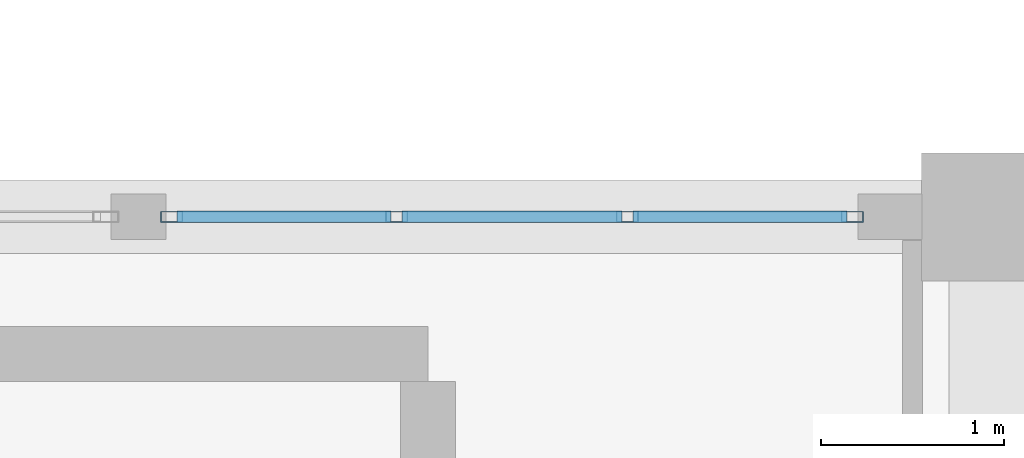
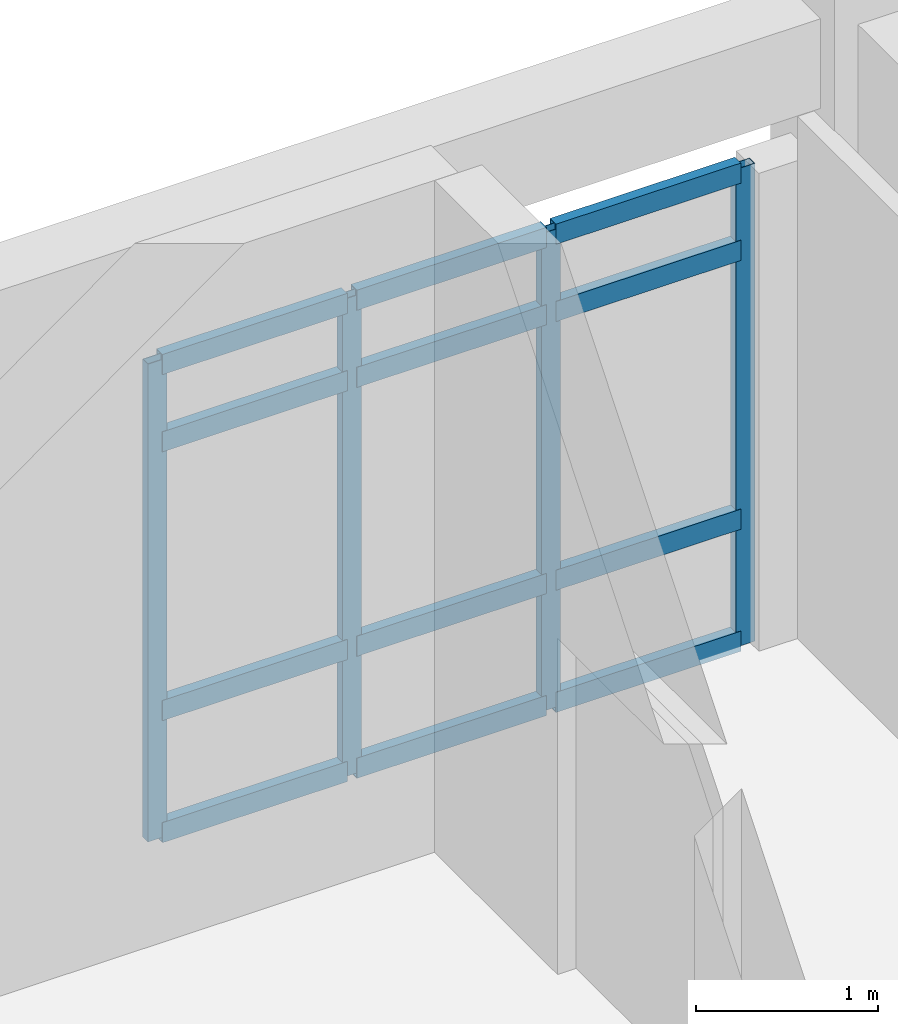
# One storey, part 12 of 80: 16 members, 1 element without a shape of its own.
"""IFC4 building model written with IfcOpenShell, lengths in metres."""

from ifc_helpers import new_model, si_unit, direction, frame, origin, origin_2d, place, context, subcontext, project, spatial, hollow_rectangle, extrude, material, layer, layer_set, material_profile, profile_set, type_object, element, aggregate, save


model = new_model("IFC4")

# Units and contexts
model_context = context("Model", 3, precision=1e-05, world=origin(), true_north=direction((0.0, 1.0)))
body_context = subcontext(model_context, "Body", "Model", "MODEL_VIEW")
ifc_project = project(units=[si_unit("LENGTHUNIT", "METRE"), si_unit("AREAUNIT", "SQUARE_METRE"), si_unit("VOLUMEUNIT", "CUBIC_METRE"), si_unit("PLANEANGLEUNIT", "RADIAN"), si_unit("MASSUNIT", "GRAM", prefix="KILO")], contexts=[model_context])

# Site, building, storey
site_placement = place(None, origin())
site = spatial("IfcSite", under=ifc_project, at=site_placement, CompositionType="ELEMENT")
building_placement = place(site_placement, origin())
building = spatial("IfcBuilding", under=site, at=building_placement, Name="Fikremerkos Civic Library", CompositionType="ELEMENT")
storey_placement = place(building_placement, frame((0.0, 0.0, 9.89990234375)))
storey = spatial("IfcBuildingStorey", under=building, at=storey_placement, Name="L02", CompositionType="ELEMENT", Elevation=9.89990234375)

# Curtain wall, members
ifc_material = material(Name="Anodized aluminium Frame", Category="aluminium")
ifc_layer = layer(ifc_material, 0.159912109375, Name="Anodized aluminium Frame")
ifc_layer_set = layer_set([ifc_layer], Name="Anodized aluminium Frame")
curtain_wall_type = type_object("IfcCurtainWallType", Name="Unitised curtain wall CW-04 3400x3600", PredefinedType="USERDEFINED", material=ifc_layer_set)
curtain_wall_placement = place(storey_placement, origin())
curtain_wall = element("IfcCurtainWall", 1, at=curtain_wall_placement, inside=storey, type_object=curtain_wall_type, Name="Unitised curtain wall CW-04 L02 #148", ObjectType="UNITISED CURTAIN WALL", PredefinedType="USERDEFINED")
ifc_material_profile_1 = material_profile(ifc_material, hollow_rectangle(XDim=0.06005859375, YDim=0.1201171875, WallThickness=0.00390625, at=origin_2d()), Name="ALU 120x60x4")
ifc_profile_set_1 = profile_set([ifc_material_profile_1], Name="Anodized aluminium Frame")
member_type_1 = type_object("IfcMemberType", Name="Curtain mullion CWM-04 ALU 120x60x4", PredefinedType="MULLION", material=ifc_profile_set_1)
member_1_placement = place(storey_placement, frame((28.147216796875, 31.199951171875, 0.0), z_axis=(0.0, 0.0, 1.0), x_axis=(0.0, 1.0, 0.0)))
member_1 = element("IfcMember", 2, at=member_1_placement, type_object=member_type_1, Name="CW-04 mullion 1", PredefinedType="MULLION", context=body_context, shape_type="SweptSolid", body=[
    extrude(hollow_rectangle(XDim=0.06005859375, YDim=0.1201171875, WallThickness=0.00390625, at=origin_2d()), origin(), (0.0, 0.0, 1.0), 3.2001953125),
])
member_2_placement = place(storey_placement, frame((29.37890625, 31.199951171875, 0.0), z_axis=(0.0, 0.0, 1.0), x_axis=(0.0, 1.0, 0.0)))
member_2 = element("IfcMember", 3, at=member_2_placement, type_object=member_type_1, Name="CW-04 mullion 2", PredefinedType="MULLION", context=body_context, shape_type="SweptSolid", body=[
    extrude(hollow_rectangle(XDim=0.06005859375, YDim=0.1201171875, WallThickness=0.00390625, at=origin_2d()), origin(), (0.0, 0.0, 1.0), 3.2001953125),
])
member_3_placement = place(storey_placement, frame((30.640380859375, 31.199951171875, 0.0), z_axis=(0.0, 0.0, 1.0), x_axis=(0.0, 1.0, 0.0)))
member_3 = element("IfcMember", 4, at=member_3_placement, type_object=member_type_1, Name="CW-04 mullion 3", PredefinedType="MULLION", context=body_context, shape_type="SweptSolid", body=[
    extrude(hollow_rectangle(XDim=0.06005859375, YDim=0.1201171875, WallThickness=0.00390625, at=origin_2d()), origin(), (0.0, 0.0, 1.0), 3.2001953125),
])
member_4_placement = place(storey_placement, frame((31.8720703125, 31.199951171875, 0.0), z_axis=(0.0, 0.0, 1.0), x_axis=(0.0, 1.0, 0.0)))
member_4 = element("IfcMember", 5, at=member_4_placement, type_object=member_type_1, Name="CW-04 mullion 4", PredefinedType="MULLION", context=body_context, shape_type="SweptSolid", body=[
    extrude(hollow_rectangle(XDim=0.06005859375, YDim=0.1201171875, WallThickness=0.00390625, at=origin_2d()), origin(), (0.0, 0.0, 1.0), 3.2001953125),
])
ifc_material_profile_2 = material_profile(ifc_material, hollow_rectangle(XDim=0.06494140625, YDim=0.135009765625, WallThickness=0.00439453125, at=origin_2d()), Name="ALU 135x65x4.5")
ifc_profile_set_2 = profile_set([ifc_material_profile_2], Name="Anodized aluminium Frame")
member_type_2 = type_object("IfcMemberType", Name="Curtain transom CWT-02 ALU 135x65x4.5", PredefinedType="USERDEFINED", material=ifc_profile_set_2)
member_5_placement = place(storey_placement, frame((28.17724609375, 31.199951171875, 0.03271484375), z_axis=(1.0, 0.0, 0.0), x_axis=(0.0, 1.0, 0.0)))
member_5 = element("IfcMember", 6, at=member_5_placement, type_object=member_type_2, Name="CW-04 transom 1.1", ObjectType="TRANSOM", PredefinedType="USERDEFINED", context=body_context, shape_type="SweptSolid", body=[
    extrude(hollow_rectangle(XDim=0.06494140625, YDim=0.135009765625, WallThickness=0.00439453125, at=origin_2d()), origin(), (0.0, 0.0, 1.0), 1.171630859375),
])
member_6_placement = place(storey_placement, frame((28.17724609375, 31.199951171875, 0.85009765625), z_axis=(1.0, 0.0, 0.0), x_axis=(0.0, 1.0, 0.0)))
member_6 = element("IfcMember", 7, at=member_6_placement, type_object=member_type_2, Name="CW-04 transom 1.2", ObjectType="TRANSOM", PredefinedType="USERDEFINED", context=body_context, shape_type="SweptSolid", body=[
    extrude(hollow_rectangle(XDim=0.06494140625, YDim=0.135009765625, WallThickness=0.00439453125, at=origin_2d()), origin(), (0.0, 0.0, 1.0), 1.171630859375),
])
member_7_placement = place(storey_placement, frame((28.17724609375, 31.199951171875, 2.650146484375), z_axis=(1.0, 0.0, 0.0), x_axis=(0.0, 1.0, 0.0)))
member_7 = element("IfcMember", 8, at=member_7_placement, type_object=member_type_2, Name="CW-04 transom 1.3", ObjectType="TRANSOM", PredefinedType="USERDEFINED", context=body_context, shape_type="SweptSolid", body=[
    extrude(hollow_rectangle(XDim=0.06494140625, YDim=0.135009765625, WallThickness=0.00439453125, at=origin_2d()), origin(), (0.0, 0.0, 1.0), 1.171630859375),
])
member_8_placement = place(storey_placement, frame((28.17724609375, 31.199951171875, 3.16748046875), z_axis=(1.0, 0.0, 0.0), x_axis=(0.0, 1.0, 0.0)))
member_8 = element("IfcMember", 9, at=member_8_placement, type_object=member_type_2, Name="CW-04 transom 1.4", ObjectType="TRANSOM", PredefinedType="USERDEFINED", context=body_context, shape_type="SweptSolid", body=[
    extrude(hollow_rectangle(XDim=0.06494140625, YDim=0.135009765625, WallThickness=0.00439453125, at=origin_2d()), origin(), (0.0, 0.0, 1.0), 1.171630859375),
])
member_9_placement = place(storey_placement, frame((29.408935546875, 31.199951171875, 0.03271484375), z_axis=(1.0, 0.0, 0.0), x_axis=(0.0, 1.0, 0.0)))
member_9 = element("IfcMember", 10, at=member_9_placement, type_object=member_type_2, Name="CW-04 transom 2.1", ObjectType="TRANSOM", PredefinedType="USERDEFINED", context=body_context, shape_type="SweptSolid", body=[
    extrude(hollow_rectangle(XDim=0.06494140625, YDim=0.135009765625, WallThickness=0.00439453125, at=origin_2d()), origin(), (0.0, 0.0, 1.0), 1.201416015625),
])
member_10_placement = place(storey_placement, frame((29.408935546875, 31.199951171875, 0.85009765625), z_axis=(1.0, 0.0, 0.0), x_axis=(0.0, 1.0, 0.0)))
member_10 = element("IfcMember", 11, at=member_10_placement, type_object=member_type_2, Name="CW-04 transom 2.2", ObjectType="TRANSOM", PredefinedType="USERDEFINED", context=body_context, shape_type="SweptSolid", body=[
    extrude(hollow_rectangle(XDim=0.06494140625, YDim=0.135009765625, WallThickness=0.00439453125, at=origin_2d()), origin(), (0.0, 0.0, 1.0), 1.201416015625),
])
member_11_placement = place(storey_placement, frame((29.408935546875, 31.199951171875, 2.650146484375), z_axis=(1.0, 0.0, 0.0), x_axis=(0.0, 1.0, 0.0)))
member_11 = element("IfcMember", 12, at=member_11_placement, type_object=member_type_2, Name="CW-04 transom 2.3", ObjectType="TRANSOM", PredefinedType="USERDEFINED", context=body_context, shape_type="SweptSolid", body=[
    extrude(hollow_rectangle(XDim=0.06494140625, YDim=0.135009765625, WallThickness=0.00439453125, at=origin_2d()), origin(), (0.0, 0.0, 1.0), 1.201416015625),
])
member_12_placement = place(storey_placement, frame((29.408935546875, 31.199951171875, 3.16748046875), z_axis=(1.0, 0.0, 0.0), x_axis=(0.0, 1.0, 0.0)))
member_12 = element("IfcMember", 13, at=member_12_placement, type_object=member_type_2, Name="CW-04 transom 2.4", ObjectType="TRANSOM", PredefinedType="USERDEFINED", context=body_context, shape_type="SweptSolid", body=[
    extrude(hollow_rectangle(XDim=0.06494140625, YDim=0.135009765625, WallThickness=0.00439453125, at=origin_2d()), origin(), (0.0, 0.0, 1.0), 1.201416015625),
])
member_13_placement = place(storey_placement, frame((30.67041015625, 31.199951171875, 0.03271484375), z_axis=(1.0, 0.0, 0.0), x_axis=(0.0, 1.0, 0.0)))
member_13 = element("IfcMember", 14, at=member_13_placement, type_object=member_type_2, Name="CW-04 transom 3.1", ObjectType="TRANSOM", PredefinedType="USERDEFINED", context=body_context, shape_type="SweptSolid", body=[
    extrude(hollow_rectangle(XDim=0.06494140625, YDim=0.135009765625, WallThickness=0.00439453125, at=origin_2d()), origin(), (0.0, 0.0, 1.0), 1.171630859375),
])
member_14_placement = place(storey_placement, frame((30.67041015625, 31.199951171875, 0.85009765625), z_axis=(1.0, 0.0, 0.0), x_axis=(0.0, 1.0, 0.0)))
member_14 = element("IfcMember", 15, at=member_14_placement, type_object=member_type_2, Name="CW-04 transom 3.2", ObjectType="TRANSOM", PredefinedType="USERDEFINED", context=body_context, shape_type="SweptSolid", body=[
    extrude(hollow_rectangle(XDim=0.06494140625, YDim=0.135009765625, WallThickness=0.00439453125, at=origin_2d()), origin(), (0.0, 0.0, 1.0), 1.171630859375),
])
member_15_placement = place(storey_placement, frame((30.67041015625, 31.199951171875, 2.650146484375), z_axis=(1.0, 0.0, 0.0), x_axis=(0.0, 1.0, 0.0)))
member_15 = element("IfcMember", 16, at=member_15_placement, type_object=member_type_2, Name="CW-04 transom 3.3", ObjectType="TRANSOM", PredefinedType="USERDEFINED", context=body_context, shape_type="SweptSolid", body=[
    extrude(hollow_rectangle(XDim=0.06494140625, YDim=0.135009765625, WallThickness=0.00439453125, at=origin_2d()), origin(), (0.0, 0.0, 1.0), 1.171630859375),
])
member_16_placement = place(storey_placement, frame((30.67041015625, 31.199951171875, 3.16748046875), z_axis=(1.0, 0.0, 0.0), x_axis=(0.0, 1.0, 0.0)))
member_16 = element("IfcMember", 17, at=member_16_placement, type_object=member_type_2, Name="CW-04 transom 3.4", ObjectType="TRANSOM", PredefinedType="USERDEFINED", context=body_context, shape_type="SweptSolid", body=[
    extrude(hollow_rectangle(XDim=0.06494140625, YDim=0.135009765625, WallThickness=0.00439453125, at=origin_2d()), origin(), (0.0, 0.0, 1.0), 1.171630859375),
])
aggregate(curtain_wall, [member_1, member_2, member_3, member_4, member_5, member_6, member_7, member_8, member_9, member_10, member_11, member_12, member_13, member_14, member_15, member_16])

save(model, "model.ifc")
